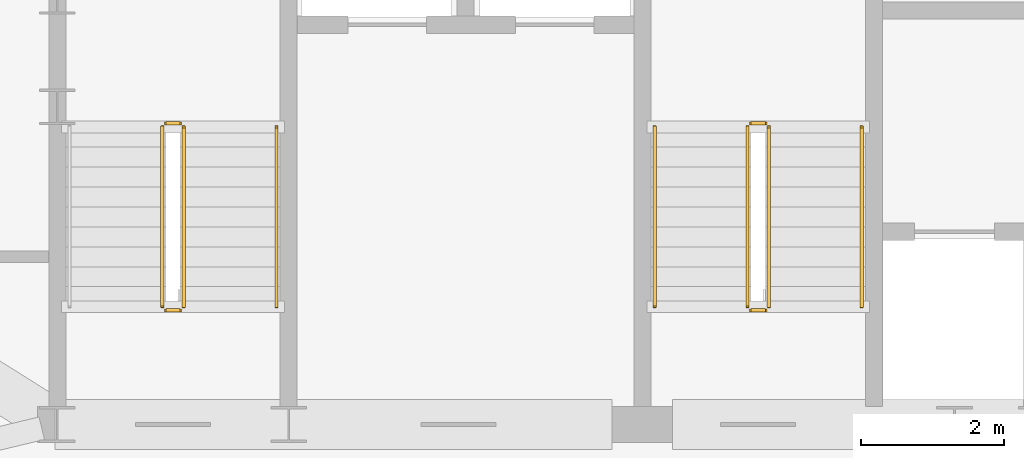
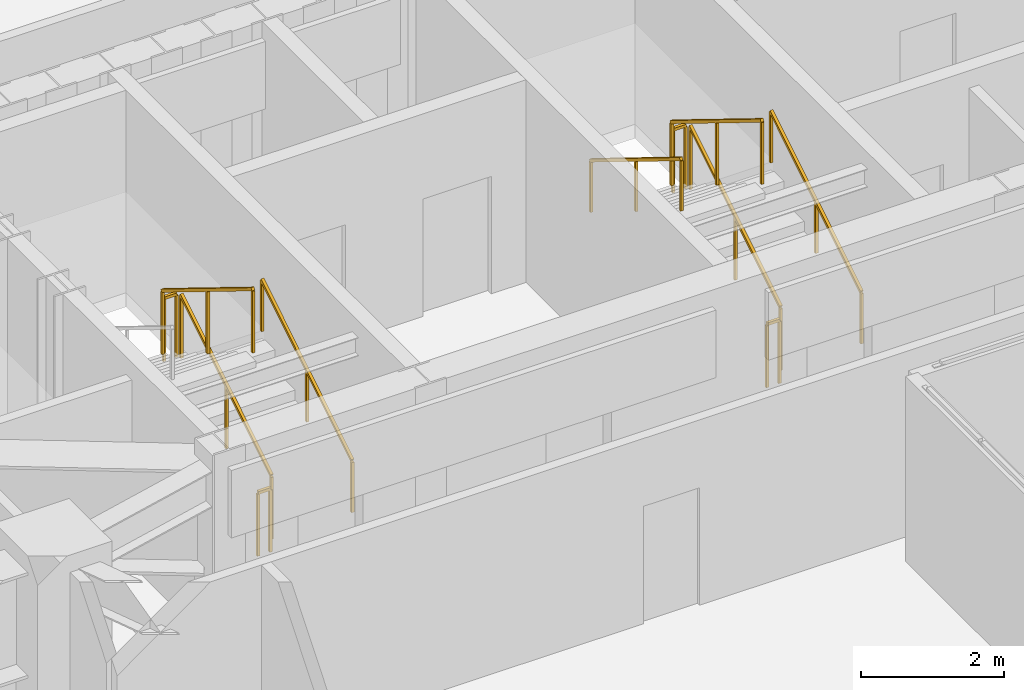
# One storey, part 11 of 13: 11 railings.
"""IFC4 building model written with IfcOpenShell, lengths in metres."""

from ifc_helpers import new_model, si_unit, direction, frame, origin, origin_2d, place, context, subcontext, project, spatial, rectangle, extrude, material, type_object, element, save


model = new_model("IFC4")

# Units and contexts
model_context = context("Model", 3, precision=1e-05, world=origin(), true_north=direction((0.0, 1.0)))
body_context = subcontext(model_context, "Body", "Model", "MODEL_VIEW")
ifc_project = project(units=[si_unit("LENGTHUNIT", "METRE"), si_unit("AREAUNIT", "SQUARE_METRE"), si_unit("VOLUMEUNIT", "CUBIC_METRE"), si_unit("PLANEANGLEUNIT", "RADIAN"), si_unit("MASSUNIT", "GRAM", prefix="KILO")], contexts=[model_context])

# Site, building, storey
site_placement = place(None, origin())
site = spatial("IfcSite", under=ifc_project, at=site_placement, CompositionType="ELEMENT")
building_placement = place(site_placement, origin())
building = spatial("IfcBuilding", under=site, at=building_placement, Name="Haldorwick Loom Tower", CompositionType="ELEMENT")
storey_placement = place(building_placement, frame((0.0, 0.0, 127.699951171875)))
storey = spatial("IfcBuildingStorey", under=building, at=storey_placement, Name="L34", CompositionType="ELEMENT", Elevation=127.699951171875)

# Railings
ifc_material = material(Name="Steel CSA G40.21 350W", Category="steel")
railing_type_1 = type_object("IfcRailingType", Name="ARC-RLG-GUARD112", PredefinedType="GUARDRAIL", material=ifc_material)
railing_1_placement = place(storey_placement, frame((23.699951171875, 28.39990234375, 0.172607421875)))
element("IfcRailing", 1, at=railing_1_placement, inside=storey, type_object=railing_type_1, Name="L34 ST-01 stair guard 1", PredefinedType="GUARDRAIL", context=body_context, shape_type="SweptSolid", body=[
    extrude(rectangle(XDim=0.048095703125, YDim=0.048095703125, at=origin_2d()), frame((0.0, 0.0, 1.076171875), z_axis=(0.0, 0.851400495292, 0.524516154772), x_axis=(-1.0, 0.0, 0.0)), (0.0, 0.0, 1.0), 2.9599609375),
    extrude(rectangle(XDim=0.0419921875, YDim=0.0419921875, at=origin_2d()), origin(), (0.0, 0.0, 1.0), 1.052001953125),
    extrude(rectangle(XDim=0.0419921875, YDim=0.0419921875, at=origin_2d()), frame((0.0, 1.260009765625, 0.7763671875)), (0.0, 0.0, 1.0), 1.052001953125),
    extrude(rectangle(XDim=0.0419921875, YDim=0.0419921875, at=origin_2d()), frame((0.0, 2.52001953125, 1.552490234375)), (0.0, 0.0, 1.0), 1.052001953125),
])
railing_2_placement = place(storey_placement, frame((23.64990234375, 30.969970703125, 1.72509765625)))
element("IfcRailing", 2, at=railing_2_placement, inside=storey, type_object=railing_type_1, Name="L34 ST-01 stair guard 2", PredefinedType="GUARDRAIL", context=body_context, shape_type="SweptSolid", body=[
    extrude(rectangle(XDim=0.048095703125, YDim=0.048095703125, at=origin_2d()), frame((0.0, 0.0, 1.076171875), z_axis=(-1.0, 0.0, 0.0), x_axis=(0.0, -1.0, 0.0)), (0.0, 0.0, 1.0), 0.199951171875),
    extrude(rectangle(XDim=0.0419921875, YDim=0.0419921875, at=origin_2d()), origin(), (0.0, 0.0, 1.0), 1.052001953125),
    extrude(rectangle(XDim=0.0419921875, YDim=0.0419921875, at=origin_2d()), frame((-0.199951171875, 0.0, 0.0)), (0.0, 0.0, 1.0), 1.052001953125),
])
railing_3_placement = place(storey_placement, frame((23.39990234375, 30.919921875, 1.8974609375)))
element("IfcRailing", 3, at=railing_3_placement, inside=storey, type_object=railing_type_1, Name="L34 ST-01 stair guard 3", PredefinedType="GUARDRAIL", context=body_context, shape_type="SweptSolid", body=[
    extrude(rectangle(XDim=0.048095703125, YDim=0.048095703125, at=origin_2d()), frame((0.0, 0.0, 1.076171875), z_axis=(0.0, -0.851400495292, 0.524516154772), x_axis=(1.0, 0.0, 0.0)), (0.0, 0.0, 1.0), 2.9599609375),
    extrude(rectangle(XDim=0.0419921875, YDim=0.0419921875, at=origin_2d()), origin(), (0.0, 0.0, 1.0), 1.052001953125),
    extrude(rectangle(XDim=0.0419921875, YDim=0.0419921875, at=origin_2d()), frame((0.0, -1.260009765625, 0.7763671875)), (0.0, 0.0, 1.0), 1.052001953125),
    extrude(rectangle(XDim=0.0419921875, YDim=0.0419921875, at=origin_2d()), frame((0.0, -2.52001953125, 1.552490234375)), (0.0, 0.0, 1.0), 1.052001953125),
])
railing_4_placement = place(storey_placement, frame((23.64990234375, 28.35009765625, 0.0)))
element("IfcRailing", 4, at=railing_4_placement, inside=storey, type_object=railing_type_1, Name="L34 ST-01 stair guard 4", PredefinedType="GUARDRAIL", context=body_context, shape_type="SweptSolid", body=[
    extrude(rectangle(XDim=0.048095703125, YDim=0.048095703125, at=origin_2d()), frame((0.0, 0.0, 1.076171875), z_axis=(-1.0, 0.0, 0.0), x_axis=(0.0, -1.0, 0.0)), (0.0, 0.0, 1.0), 0.199951171875),
    extrude(rectangle(XDim=0.0419921875, YDim=0.0419921875, at=origin_2d()), origin(), (0.0, 0.0, 1.0), 1.052001953125),
    extrude(rectangle(XDim=0.0419921875, YDim=0.0419921875, at=origin_2d()), frame((-0.199951171875, 0.0, 0.0)), (0.0, 0.0, 1.0), 1.052001953125),
])
railing_5_placement = place(storey_placement, frame((31.89990234375, 28.39990234375, 0.172607421875)))
element("IfcRailing", 5, at=railing_5_placement, inside=storey, type_object=railing_type_1, Name="L34 ST-03 stair guard 1", PredefinedType="GUARDRAIL", context=body_context, shape_type="SweptSolid", body=[
    extrude(rectangle(XDim=0.048095703125, YDim=0.048095703125, at=origin_2d()), frame((0.0, 0.0, 1.076171875), z_axis=(0.0, 0.851400495292, 0.524516154772), x_axis=(-1.0, 0.0, 0.0)), (0.0, 0.0, 1.0), 2.9599609375),
    extrude(rectangle(XDim=0.0419921875, YDim=0.0419921875, at=origin_2d()), origin(), (0.0, 0.0, 1.0), 1.052001953125),
    extrude(rectangle(XDim=0.0419921875, YDim=0.0419921875, at=origin_2d()), frame((0.0, 1.260009765625, 0.7763671875)), (0.0, 0.0, 1.0), 1.052001953125),
    extrude(rectangle(XDim=0.0419921875, YDim=0.0419921875, at=origin_2d()), frame((0.0, 2.52001953125, 1.552490234375)), (0.0, 0.0, 1.0), 1.052001953125),
])
railing_6_placement = place(storey_placement, frame((31.85009765625, 30.969970703125, 1.72509765625)))
element("IfcRailing", 6, at=railing_6_placement, inside=storey, type_object=railing_type_1, Name="L34 ST-03 stair guard 2", PredefinedType="GUARDRAIL", context=body_context, shape_type="SweptSolid", body=[
    extrude(rectangle(XDim=0.048095703125, YDim=0.048095703125, at=origin_2d()), frame((0.0, 0.0, 1.076171875), z_axis=(-1.0, 0.0, 0.0), x_axis=(0.0, -1.0, 0.0)), (0.0, 0.0, 1.0), 0.2001953125),
    extrude(rectangle(XDim=0.0419921875, YDim=0.0419921875, at=origin_2d()), origin(), (0.0, 0.0, 1.0), 1.052001953125),
    extrude(rectangle(XDim=0.0419921875, YDim=0.0419921875, at=origin_2d()), frame((-0.2001953125, 0.0, 0.0)), (0.0, 0.0, 1.0), 1.052001953125),
])
railing_7_placement = place(storey_placement, frame((31.60009765625, 30.919921875, 1.8974609375)))
element("IfcRailing", 7, at=railing_7_placement, inside=storey, type_object=railing_type_1, Name="L34 ST-03 stair guard 3", PredefinedType="GUARDRAIL", context=body_context, shape_type="SweptSolid", body=[
    extrude(rectangle(XDim=0.048095703125, YDim=0.048095703125, at=origin_2d()), frame((0.0, 0.0, 1.076171875), z_axis=(0.0, -0.851400495292, 0.524516154772), x_axis=(1.0, 0.0, 0.0)), (0.0, 0.0, 1.0), 2.9599609375),
    extrude(rectangle(XDim=0.0419921875, YDim=0.0419921875, at=origin_2d()), origin(), (0.0, 0.0, 1.0), 1.052001953125),
    extrude(rectangle(XDim=0.0419921875, YDim=0.0419921875, at=origin_2d()), frame((0.0, -1.260009765625, 0.7763671875)), (0.0, 0.0, 1.0), 1.052001953125),
    extrude(rectangle(XDim=0.0419921875, YDim=0.0419921875, at=origin_2d()), frame((0.0, -2.52001953125, 1.552490234375)), (0.0, 0.0, 1.0), 1.052001953125),
])
railing_8_placement = place(storey_placement, frame((31.85009765625, 28.35009765625, 0.0)))
element("IfcRailing", 8, at=railing_8_placement, inside=storey, type_object=railing_type_1, Name="L34 ST-03 stair guard 4", PredefinedType="GUARDRAIL", context=body_context, shape_type="SweptSolid", body=[
    extrude(rectangle(XDim=0.048095703125, YDim=0.048095703125, at=origin_2d()), frame((0.0, 0.0, 1.076171875), z_axis=(-1.0, 0.0, 0.0), x_axis=(0.0, -1.0, 0.0)), (0.0, 0.0, 1.0), 0.2001953125),
    extrude(rectangle(XDim=0.0419921875, YDim=0.0419921875, at=origin_2d()), origin(), (0.0, 0.0, 1.0), 1.052001953125),
    extrude(rectangle(XDim=0.0419921875, YDim=0.0419921875, at=origin_2d()), frame((-0.2001953125, 0.0, 0.0)), (0.0, 0.0, 1.0), 1.052001953125),
])
railing_type_2 = type_object("IfcRailingType", Name="ARC-RLG-HAND092", PredefinedType="HANDRAIL", material=ifc_material)
for number, where, name in (
    (9, (25.0, 28.39990234375, 0.172607421875), "L34 ST-01 stair handrail 1"),
    (10, (33.199951171875, 28.39990234375, 0.172607421875), "L34 ST-03 stair handrail 1"),
):
    element("IfcRailing", number, at=place(storey_placement, frame(where)), inside=storey, type_object=railing_type_2, Name=name, PredefinedType="HANDRAIL", context=body_context, shape_type="SweptSolid", body=[
        extrude(rectangle(XDim=0.048095703125, YDim=0.048095703125, at=origin_2d()), frame((0.0, 0.0, 0.8759765625), z_axis=(0.0, 0.851400495292, 0.524516154772), x_axis=(-1.0, 0.0, 0.0)), (0.0, 0.0, 1.0), 2.9599609375),
        extrude(rectangle(XDim=0.0419921875, YDim=0.0419921875, at=origin_2d()), origin(), (0.0, 0.0, 1.0), 0.851806640625),
        extrude(rectangle(XDim=0.0419921875, YDim=0.0419921875, at=origin_2d()), frame((0.0, 1.260009765625, 0.7763671875)), (0.0, 0.0, 1.0), 0.851806640625),
        extrude(rectangle(XDim=0.0419921875, YDim=0.0419921875, at=origin_2d()), frame((0.0, 2.52001953125, 1.552490234375)), (0.0, 0.0, 1.0), 0.851806640625),
    ])
railing_9_placement = place(storey_placement, frame((30.300048828125, 30.919921875, 1.8974609375)))
element("IfcRailing", 11, at=railing_9_placement, inside=storey, type_object=railing_type_2, Name="L34 ST-03 stair handrail 2", PredefinedType="HANDRAIL", context=body_context, shape_type="SweptSolid", body=[
    extrude(rectangle(XDim=0.048095703125, YDim=0.048095703125, at=origin_2d()), frame((0.0, 0.0, 0.8759765625), z_axis=(0.0, -0.851400495292, 0.524516154772), x_axis=(1.0, 0.0, 0.0)), (0.0, 0.0, 1.0), 2.9599609375),
    extrude(rectangle(XDim=0.0419921875, YDim=0.0419921875, at=origin_2d()), origin(), (0.0, 0.0, 1.0), 0.851806640625),
    extrude(rectangle(XDim=0.0419921875, YDim=0.0419921875, at=origin_2d()), frame((0.0, -1.260009765625, 0.7763671875)), (0.0, 0.0, 1.0), 0.851806640625),
    extrude(rectangle(XDim=0.0419921875, YDim=0.0419921875, at=origin_2d()), frame((0.0, -2.52001953125, 1.552490234375)), (0.0, 0.0, 1.0), 0.851806640625),
])

save(model, "model.ifc")
